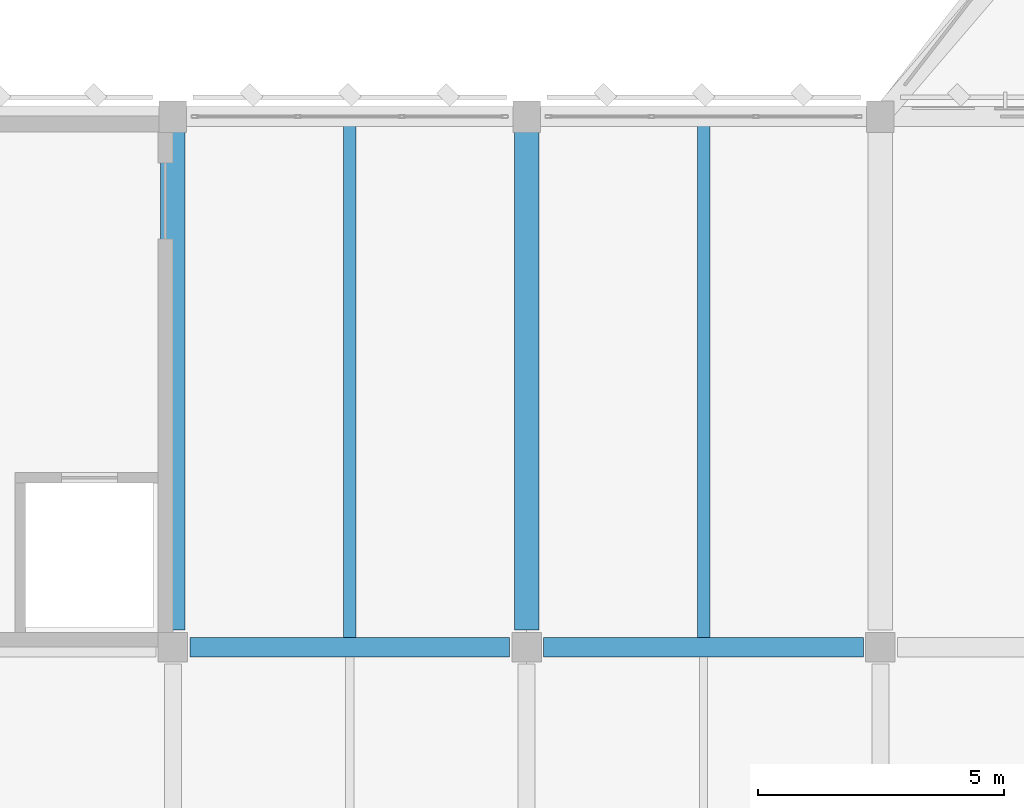
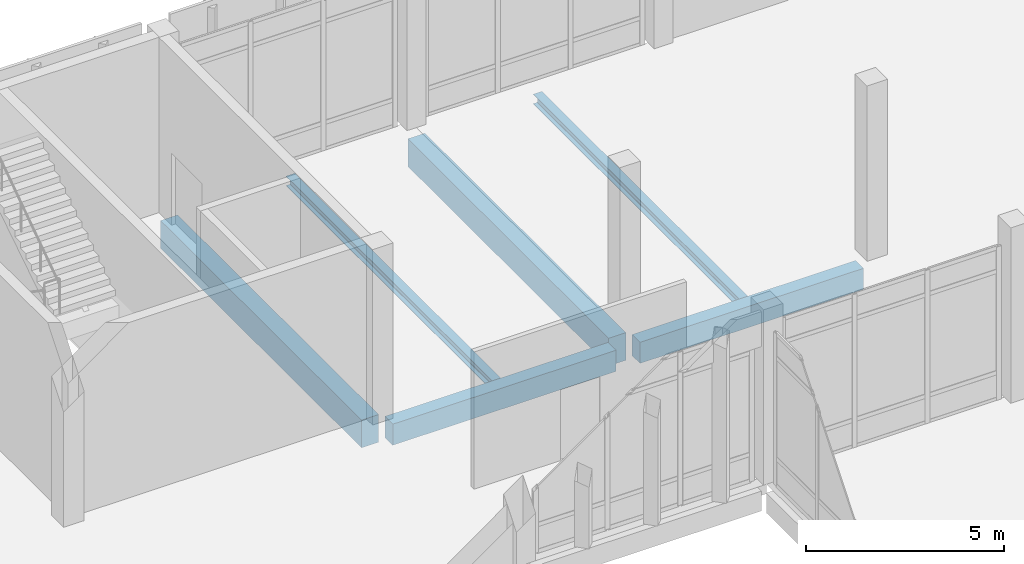
# One storey, part 92 of 180: 6 beams.
"""IFC4 building model written with IfcOpenShell, lengths in metres."""

from ifc_helpers import new_model, si_unit, direction, frame, origin, origin_2d, place, context, subcontext, project, spatial, rectangle, i_section, extrude, material, material_profile, profile_set, type_object, element, save


model = new_model("IFC4")

# Units and contexts
model_context = context("Model", 3, precision=1e-05, world=origin(), true_north=direction((0.0, 1.0)))
body_context = subcontext(model_context, "Body", "Model", "MODEL_VIEW")
ifc_project = project(units=[si_unit("LENGTHUNIT", "METRE"), si_unit("AREAUNIT", "SQUARE_METRE"), si_unit("VOLUMEUNIT", "CUBIC_METRE"), si_unit("PLANEANGLEUNIT", "RADIAN"), si_unit("MASSUNIT", "GRAM", prefix="KILO")], contexts=[model_context])

# Site, building, storey
site_placement = place(None, origin())
site = spatial("IfcSite", under=ifc_project, at=site_placement, CompositionType="ELEMENT")
building_placement = place(site_placement, origin())
building = spatial("IfcBuilding", under=site, at=building_placement, Name="Lusvemor Sports Hall", CompositionType="ELEMENT")
storey_placement = place(building_placement, frame((0.0, 0.0, 5.39990234375)))
storey = spatial("IfcBuildingStorey", under=building, at=storey_placement, Name="L01", CompositionType="ELEMENT", Elevation=5.39990234375)

# Beams
ifc_material_1 = material(Name="Concrete C40/50", Category="concrete")
ifc_material_profile_1 = material_profile(ifc_material_1, rectangle(XDim=0.39990234375, YDim=0.64990234375, at=origin_2d()), Name="RC400x650")
ifc_profile_set_1 = profile_set([ifc_material_profile_1], Name="Concrete C40/50")
beam_type_1 = type_object("IfcBeamType", Name="BEAM_RC_650", PredefinedType="BEAM", material=ifc_profile_set_1)
for number, where, z_axis, x_axis, name in (
    (1, (111.946044921875, 104.39990234375, -0.5849609375), (1.0, 0.0, 0.0), (0.0, 1.0, 0.0), "Beam L01 P:12-13"),
    (2, (119.14599609375, 104.39990234375, -0.5849609375), (1.0, 0.0, 0.0), (0.0, 1.0, 0.0), "Beam L01 P:13-14"),
):
    element("IfcBeam", number, at=place(storey_placement, frame(where, z_axis=z_axis, x_axis=x_axis)), inside=storey, type_object=beam_type_1, Name=name, PredefinedType="BEAM", context=body_context, shape_type="SweptSolid", body=[
        extrude(rectangle(XDim=0.39990234375, YDim=0.64990234375, at=origin_2d()), origin(), (0.0, 0.0, 1.0), 6.508056640625),
    ])
ifc_material_2 = material(Name="Concrete C40/50", Category="concrete")
ifc_material_profile_2 = material_profile(ifc_material_2, rectangle(XDim=0.5, YDim=0.85009765625, at=origin_2d()), Name="RC500x850")
ifc_profile_set_2 = profile_set([ifc_material_profile_2], Name="Concrete C40/50")
beam_type_2 = type_object("IfcBeamType", Name="GIRD_RC_850", PredefinedType="T_BEAM", material=ifc_profile_set_2)
for number, where, z_axis, x_axis, name in (
    (3, (111.60009765625, 104.74609375, -0.684814453125), (0.0, 1.0, 0.0), (-1.0, 0.0, 0.0), "Beam L01 12:P-Q"),
    (4, (118.800048828125, 104.74609375, -0.684814453125), (0.0, 1.0, 0.0), (-1.0, 0.0, 0.0), "Beam L01 13:P-Q"),
):
    element("IfcBeam", number, at=place(storey_placement, frame(where, z_axis=z_axis, x_axis=x_axis)), inside=storey, type_object=beam_type_2, Name=name, PredefinedType="T_BEAM", context=body_context, shape_type="SweptSolid", body=[
        extrude(rectangle(XDim=0.5, YDim=0.85009765625, at=origin_2d()), origin(), (0.0, 0.0, 1.0), 10.137939453125),
    ])
ifc_material_3 = material(Name="Steel S355", Category="steel")
ifc_material_profile_3 = material_profile(ifc_material_3, i_section(OverallWidth=0.25390625, OverallDepth=0.305908203125, WebThickness=0.0087890625, FlangeThickness=0.0146484375, FilletRadius=0.014892578125, at=origin_2d()), Name="W310x79.0")
ifc_profile_set_3 = profile_set([ifc_material_profile_3], Name="Steel S355")
beam_type_3 = type_object("IfcBeamType", Name="JOIST_ST_310H", PredefinedType="JOIST", material=ifc_profile_set_3)
for number, where, z_axis, x_axis, name in (
    (5, (115.199951171875, 104.595947265625, -0.4169921875), (0.0, 1.0, 0.0), (-1.0, 0.0, 0.0), "Secondary Joist L01 12-13/P-Q #1"),
    (6, (122.39990234375, 104.595947265625, -0.4169921875), (0.0, 1.0, 0.0), (-1.0, 0.0, 0.0), "Secondary Joist L01 13-14/P-Q #1"),
):
    element("IfcBeam", number, at=place(storey_placement, frame(where, z_axis=z_axis, x_axis=x_axis)), inside=storey, type_object=beam_type_3, Name=name, PredefinedType="JOIST", context=body_context, shape_type="SweptSolid", body=[
        extrude(i_section(OverallWidth=0.25390625, OverallDepth=0.305908203125, WebThickness=0.0087890625, FlangeThickness=0.0146484375, FilletRadius=0.014892578125, at=origin_2d()), origin(), (0.0, 0.0, 1.0), 10.407958984375),
    ])

save(model, "model.ifc")
